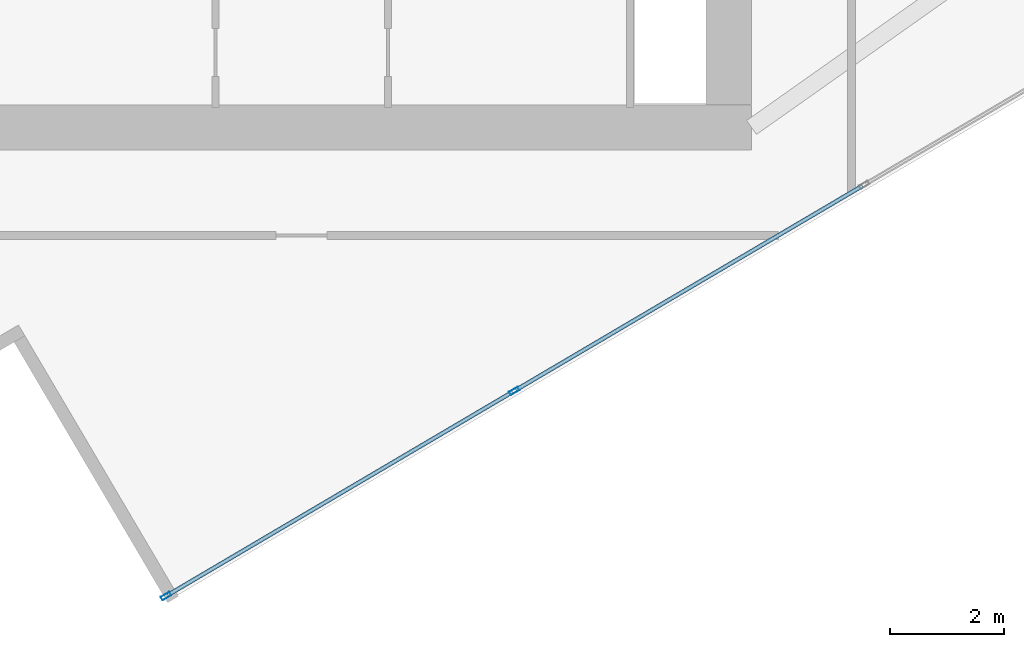
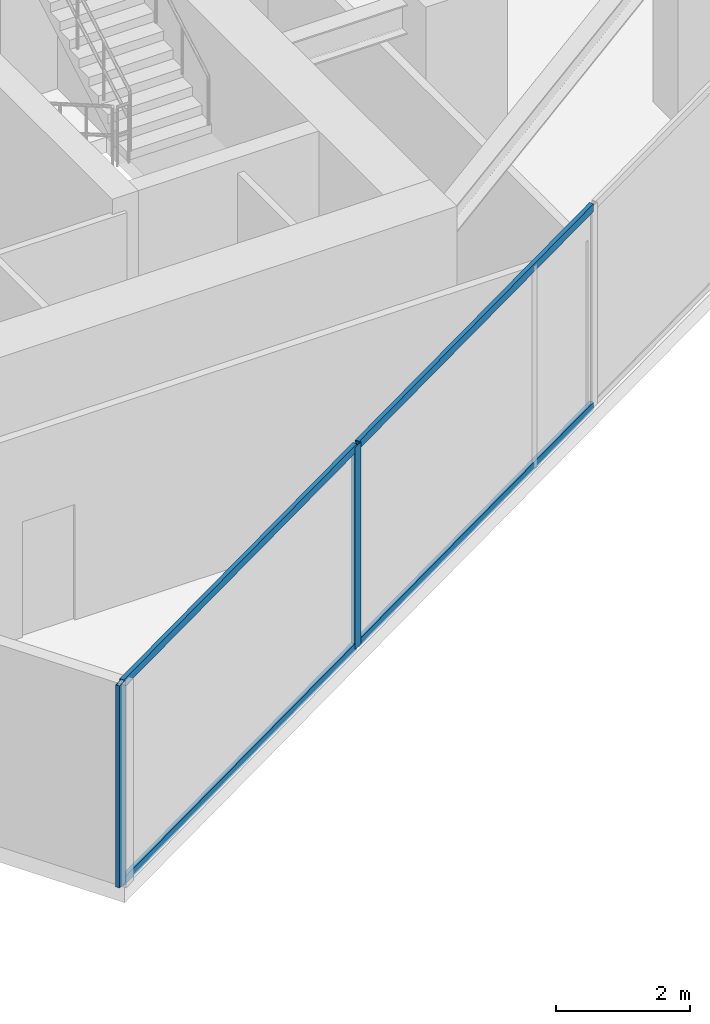
# One storey, part 3 of 20: 6 members, 1 element without a shape of its own.
"""IFC4 building model written with IfcOpenShell, lengths in metres."""

from ifc_helpers import new_model, si_unit, direction, frame, origin, origin_2d, place, context, subcontext, project, spatial, hollow_rectangle, extrude, source, transform, mapped, material, material_profile, profile_set, type_object, type_shapes, element, aggregate, save


model = new_model("IFC4")

# Units and contexts
model_context = context("Model", 3, precision=1e-05, world=origin(), true_north=direction((0.0, 1.0)))
body_context = subcontext(model_context, "Body", "Model", "MODEL_VIEW")
ifc_project = project(units=[si_unit("LENGTHUNIT", "METRE"), si_unit("AREAUNIT", "SQUARE_METRE"), si_unit("VOLUMEUNIT", "CUBIC_METRE"), si_unit("PLANEANGLEUNIT", "RADIAN"), si_unit("MASSUNIT", "GRAM", prefix="KILO")], contexts=[model_context])

# Site, building, storey
site_placement = place(None, origin())
site = spatial("IfcSite", under=ifc_project, at=site_placement, CompositionType="ELEMENT")
building_placement = place(site_placement, origin())
building = spatial("IfcBuilding", under=site, at=building_placement, Name="Krantzveldt Concourse Tower", CompositionType="ELEMENT")
storey_placement = place(building_placement, frame((0.0, 0.0, 299.0)))
storey = spatial("IfcBuildingStorey", under=building, at=storey_placement, Name="L73", CompositionType="ELEMENT", Elevation=299.0)

# Curtain wall, members
ifc_material = material(Name="Anodised aluminium 6063-T6", Category="aluminium")
curtain_wall_type = type_object("IfcCurtainWallType", Name="CW4", PredefinedType="USERDEFINED", material=ifc_material)
curtain_wall_placement = place(storey_placement, origin())
curtain_wall = element("IfcCurtainWall", 1, at=curtain_wall_placement, inside=storey, type_object=curtain_wall_type, Name="CW-L73-F07", ObjectType="UNITISED CURTAIN WALL", PredefinedType="USERDEFINED")
ifc_material_profile_1 = material_profile(ifc_material, hollow_rectangle(XDim=0.070068359375, YDim=0.179931640625, WallThickness=0.0048828125, at=origin_2d()), Name="Anodised aluminium 6063-T6", Category="aluminium")
ifc_profile_set_1 = profile_set([ifc_material_profile_1], Name="Anodised aluminium 6063-T6 - ALU-MULL 180x70x5")
member_type_1 = type_object("IfcMemberType", Name="CW-MUL-180", PredefinedType="MULLION", material=ifc_profile_set_1)
shared_shape_1 = source(origin(), body_context, "Body", "SweptSolid", [
    extrude(hollow_rectangle(XDim=0.070068359375, YDim=0.179931640625, WallThickness=0.0048828125, at=origin_2d()), origin(), (0.0, 0.0, 1.0), 3.669921875),
])
type_shapes(member_type_1, [shared_shape_1])
member_1_placement = place(storey_placement, frame((33.61083984375, 2.649658203125, 0.0), z_axis=(0.0, 0.0, 1.0), x_axis=(-0.507538344223, 0.861629171479, 0.0)))
member_1 = element("IfcMember", 2, at=member_1_placement, type_object=member_type_1, Name="CW-Z56 mullion 1", PredefinedType="MULLION", context=body_context, shape_type="MappedRepresentation", body=[
    mapped(shared_shape_1, transform((0.0, 0.0, 0.0), x_axis=(1.0, 0.0, 0.0), y_axis=(0.0, 1.0, 0.0), z_axis=(0.0, 0.0, 1.0), scale=1.0)),
])
member_2_placement = place(storey_placement, frame((39.741455078125, 6.2607421875, 0.0), z_axis=(0.0, 0.0, 1.0), x_axis=(-0.507538344223, 0.861629171479, 0.0)))
member_2 = element("IfcMember", 3, at=member_2_placement, type_object=member_type_1, Name="CW-Z56 mullion 2", PredefinedType="MULLION", context=body_context, shape_type="MappedRepresentation", body=[
    mapped(shared_shape_1, transform((0.0, 0.0, 0.0), x_axis=(1.0, 0.0, 0.0), y_axis=(0.0, 1.0, 0.0), z_axis=(0.0, 0.0, 1.0), scale=1.0)),
])
ifc_material_profile_2 = material_profile(ifc_material, hollow_rectangle(XDim=0.070068359375, YDim=0.139892578125, WallThickness=0.0048828125, at=origin_2d()), Name="Anodised aluminium 6063-T6", Category="aluminium")
ifc_profile_set_2 = profile_set([ifc_material_profile_2], Name="Anodised aluminium 6063-T6 - ALU-TRAN 140x70x5")
member_type_2 = type_object("IfcMemberType", Name="CW-TRN-150", PredefinedType="USERDEFINED", material=ifc_profile_set_2)
shared_shape_2 = source(origin(), body_context, "Body", "SweptSolid", [
    extrude(hollow_rectangle(XDim=0.070068359375, YDim=0.139892578125, WallThickness=0.0048828125, at=origin_2d()), origin(), (0.0, 0.0, 1.0), 7.044921875),
])
member_3_placement = place(storey_placement, frame((33.64111328125, 2.667236328125, 0.034912109375), z_axis=(0.861620465116, 0.507553124405, 0.0), x_axis=(-0.507553124405, 0.861620465116, 0.0)))
member_3 = element("IfcMember", 4, at=member_3_placement, type_object=member_type_2, Name="CW-Z56 transom 1.1", ObjectType="TRANSOM", PredefinedType="USERDEFINED", context=body_context, shape_type="MappedRepresentation", body=[
    mapped(shared_shape_2, transform((0.0, 0.0, 0.0), x_axis=(1.0, 0.0, 0.0), y_axis=(0.0, 1.0, 0.0), z_axis=(0.0, 0.0, 1.0), scale=1.0)),
])
member_4_placement = place(storey_placement, frame((33.64111328125, 2.667236328125, 3.635009765625), z_axis=(0.861620465116, 0.507553124405, 0.0), x_axis=(-0.507553124405, 0.861620465116, 0.0)))
member_4 = element("IfcMember", 5, at=member_4_placement, type_object=member_type_2, Name="CW-Z56 transom 1.2", ObjectType="TRANSOM", PredefinedType="USERDEFINED", context=body_context, shape_type="MappedRepresentation", body=[
    mapped(shared_shape_2, transform((0.0, 0.0, 0.0), x_axis=(1.0, 0.0, 0.0), y_axis=(0.0, 1.0, 0.0), z_axis=(0.0, 0.0, 1.0), scale=1.0)),
])
shared_shape_3 = source(origin(), body_context, "Body", "SweptSolid", [
    extrude(hollow_rectangle(XDim=0.070068359375, YDim=0.139892578125, WallThickness=0.0048828125, at=origin_2d()), origin(), (0.0, 0.0, 1.0), 7.079833984375),
])
type_shapes(member_type_2, [shared_shape_2, shared_shape_3])
member_5_placement = place(storey_placement, frame((39.771484375, 6.278564453125, 0.034912109375), z_axis=(0.861636215127, 0.507526386291, 0.0), x_axis=(-0.507526386291, 0.861636215127, 0.0)))
member_5 = element("IfcMember", 6, at=member_5_placement, type_object=member_type_2, Name="CW-Z56 transom 2.1", ObjectType="TRANSOM", PredefinedType="USERDEFINED", context=body_context, shape_type="MappedRepresentation", body=[
    mapped(shared_shape_3, transform((0.0, 0.0, 0.0), x_axis=(1.0, 0.0, 0.0), y_axis=(0.0, 1.0, 0.0), z_axis=(0.0, 0.0, 1.0), scale=1.0)),
])
member_6_placement = place(storey_placement, frame((39.771484375, 6.278564453125, 3.635009765625), z_axis=(0.861636215127, 0.507526386291, 0.0), x_axis=(-0.507526386291, 0.861636215127, 0.0)))
member_6 = element("IfcMember", 7, at=member_6_placement, type_object=member_type_2, Name="CW-Z56 transom 2.2", ObjectType="TRANSOM", PredefinedType="USERDEFINED", context=body_context, shape_type="MappedRepresentation", body=[
    mapped(shared_shape_3, transform((0.0, 0.0, 0.0), x_axis=(1.0, 0.0, 0.0), y_axis=(0.0, 1.0, 0.0), z_axis=(0.0, 0.0, 1.0), scale=1.0)),
])
aggregate(curtain_wall, [member_1, member_2, member_3, member_4, member_5, member_6])

save(model, "model.ifc")
